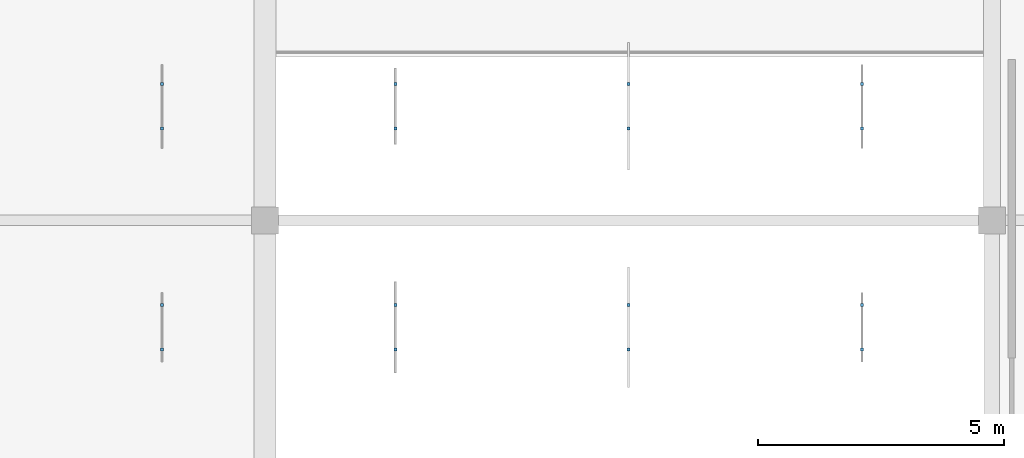
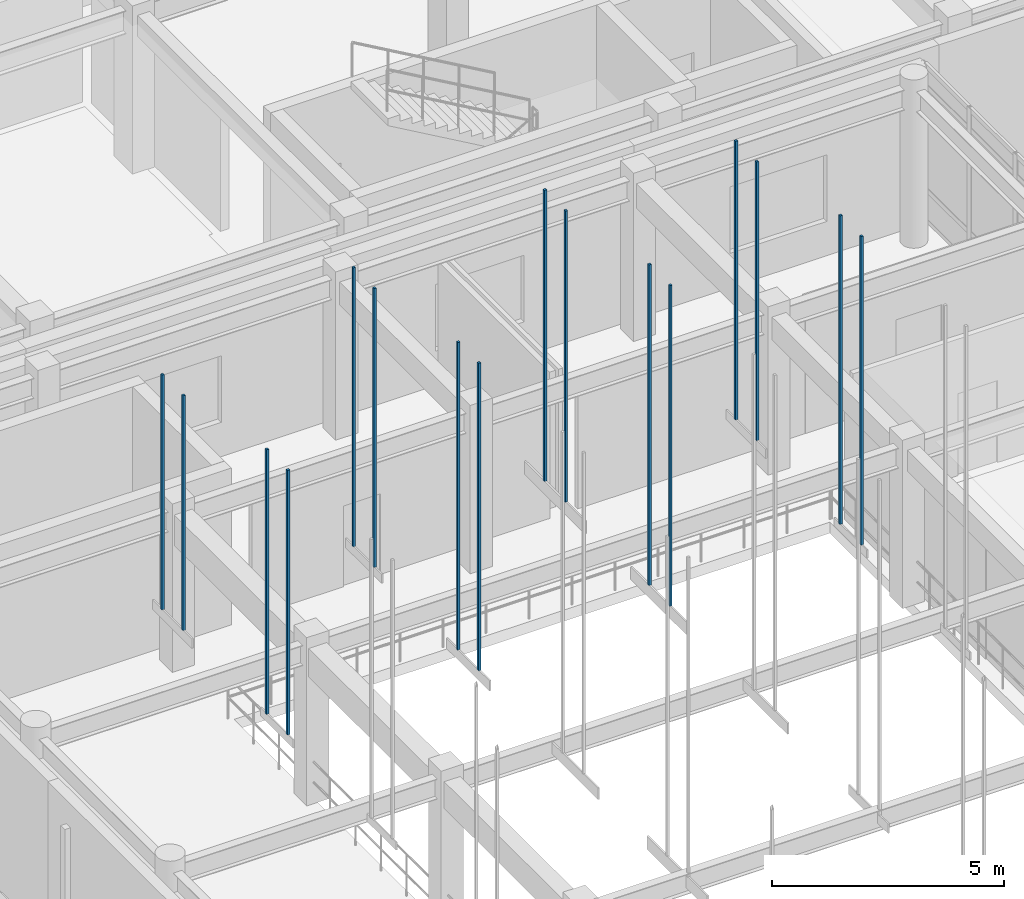
# One storey, part 131 of 142: 16 discrete accessories.
"""IFC4 building model written with IfcOpenShell, lengths in metres."""

from ifc_helpers import new_model, si_unit, direction, frame, origin, origin_2d, place, context, subcontext, project, spatial, rectangle, extrude, material, layer, layer_set, type_object, element, save


model = new_model("IFC4")

# Units and contexts
model_context = context("Model", 3, precision=1e-05, world=origin(), true_north=direction((0.0, 1.0)))
body_context = subcontext(model_context, "Body", "Model", "MODEL_VIEW")
ifc_project = project(units=[si_unit("LENGTHUNIT", "METRE"), si_unit("AREAUNIT", "SQUARE_METRE"), si_unit("VOLUMEUNIT", "CUBIC_METRE"), si_unit("PLANEANGLEUNIT", "RADIAN"), si_unit("MASSUNIT", "GRAM", prefix="KILO")], contexts=[model_context])

# Site, building, storey
site_placement = place(None, origin())
site = spatial("IfcSite", under=ifc_project, at=site_placement, CompositionType="ELEMENT")
building_placement = place(site_placement, origin())
building = spatial("IfcBuilding", under=site, at=building_placement, Name="Valcora Specialist Clinic", CompositionType="ELEMENT")
storey_placement = place(building_placement, frame((0.0, 0.0, 5.10009765625)))
storey = spatial("IfcBuildingStorey", under=building, at=storey_placement, Name="L01", CompositionType="ELEMENT", Elevation=5.10009765625)

# Discrete accessories
ifc_material = material(Name="Stainless Steel AISI 316", Category="steel")
ifc_layer = layer(ifc_material, 0.06005859375)
ifc_layer_set = layer_set([ifc_layer], Name="Stainless Steel AISI 316")
discrete_accessory_type = type_object("IfcDiscreteAccessoryType", Name="TY-DA-HGR060", PredefinedType="BRACKET", material=ifc_layer_set)
for number, where, z_axis, x_axis, name in (
    (1, (5.5, 65.050048828125, 3.951904296875), (0.0, 0.0, 1.0), (1.0, 0.0, 0.0), "Baffle suspension hanger 5A"),
    (2, (5.5, 65.949951171875, 3.951904296875), (0.0, 0.0, 1.0), (1.0, 0.0, 0.0), "Baffle suspension hanger 5B"),
):
    element("IfcDiscreteAccessory", number, at=place(storey_placement, frame(where, z_axis=z_axis, x_axis=x_axis)), inside=storey, type_object=discrete_accessory_type, Name=name, PredefinedType="BRACKET", context=body_context, shape_type="SweptSolid", body=[
        extrude(rectangle(XDim=0.06005859375, YDim=0.06005859375, at=origin_2d()), origin(), (0.0, 0.0, 1.0), 6.953125),
    ])
for number, where, z_axis, x_axis, name in (
    (3, (5.5, 69.550048828125, 3.966796875), (0.0, 0.0, 1.0), (1.0, 0.0, 0.0), "Baffle suspension hanger 6A"),
    (4, (5.5, 70.449951171875, 3.966796875), (0.0, 0.0, 1.0), (1.0, 0.0, 0.0), "Baffle suspension hanger 6B"),
):
    element("IfcDiscreteAccessory", number, at=place(storey_placement, frame(where, z_axis=z_axis, x_axis=x_axis)), inside=storey, type_object=discrete_accessory_type, Name=name, PredefinedType="BRACKET", context=body_context, shape_type="SweptSolid", body=[
        extrude(rectangle(XDim=0.06005859375, YDim=0.06005859375, at=origin_2d()), origin(), (0.0, 0.0, 1.0), 6.169189453125),
    ])
for number, where, z_axis, x_axis, name in (
    (5, (10.25, 65.050048828125, 3.9765625), (0.0, 0.0, 1.0), (1.0, 0.0, 0.0), "Baffle suspension hanger 11A"),
    (6, (10.25, 65.949951171875, 3.9765625), (0.0, 0.0, 1.0), (1.0, 0.0, 0.0), "Baffle suspension hanger 11B"),
):
    element("IfcDiscreteAccessory", number, at=place(storey_placement, frame(where, z_axis=z_axis, x_axis=x_axis)), inside=storey, type_object=discrete_accessory_type, Name=name, PredefinedType="BRACKET", context=body_context, shape_type="SweptSolid", body=[
        extrude(rectangle(XDim=0.06005859375, YDim=0.06005859375, at=origin_2d()), origin(), (0.0, 0.0, 1.0), 8.080810546875),
    ])
for number, where, z_axis, x_axis, name in (
    (7, (10.25, 69.550048828125, 3.9619140625), (0.0, 0.0, 1.0), (1.0, 0.0, 0.0), "Baffle suspension hanger 12A"),
    (8, (10.25, 70.449951171875, 3.9619140625), (0.0, 0.0, 1.0), (1.0, 0.0, 0.0), "Baffle suspension hanger 12B"),
):
    element("IfcDiscreteAccessory", number, at=place(storey_placement, frame(where, z_axis=z_axis, x_axis=x_axis)), inside=storey, type_object=discrete_accessory_type, Name=name, PredefinedType="BRACKET", context=body_context, shape_type="SweptSolid", body=[
        extrude(rectangle(XDim=0.06005859375, YDim=0.06005859375, at=origin_2d()), origin(), (0.0, 0.0, 1.0), 7.326904296875),
    ])
for number, where, z_axis, x_axis, name in (
    (9, (15.0, 65.050048828125, 4.0068359375), (0.0, 0.0, 1.0), (1.0, 0.0, 0.0), "Baffle suspension hanger 17A"),
    (10, (15.0, 65.949951171875, 4.0068359375), (0.0, 0.0, 1.0), (1.0, 0.0, 0.0), "Baffle suspension hanger 17B"),
):
    element("IfcDiscreteAccessory", number, at=place(storey_placement, frame(where, z_axis=z_axis, x_axis=x_axis)), inside=storey, type_object=discrete_accessory_type, Name=name, PredefinedType="BRACKET", context=body_context, shape_type="SweptSolid", body=[
        extrude(rectangle(XDim=0.06005859375, YDim=0.06005859375, at=origin_2d()), origin(), (0.0, 0.0, 1.0), 8.42529296875),
    ])
for number, where, z_axis, x_axis, name in (
    (11, (15.0, 69.550048828125, 4.01171875), (0.0, 0.0, 1.0), (1.0, 0.0, 0.0), "Baffle suspension hanger 18A"),
    (12, (15.0, 70.449951171875, 4.01171875), (0.0, 0.0, 1.0), (1.0, 0.0, 0.0), "Baffle suspension hanger 18B"),
):
    element("IfcDiscreteAccessory", number, at=place(storey_placement, frame(where, z_axis=z_axis, x_axis=x_axis)), inside=storey, type_object=discrete_accessory_type, Name=name, PredefinedType="BRACKET", context=body_context, shape_type="SweptSolid", body=[
        extrude(rectangle(XDim=0.06005859375, YDim=0.06005859375, at=origin_2d()), origin(), (0.0, 0.0, 1.0), 7.651123046875),
    ])
for number, where, z_axis, x_axis, name in (
    (13, (19.75, 65.050048828125, 3.95166015625), (0.0, 0.0, 1.0), (1.0, 0.0, 0.0), "Baffle suspension hanger 23A"),
    (14, (19.75, 65.949951171875, 3.95166015625), (0.0, 0.0, 1.0), (1.0, 0.0, 0.0), "Baffle suspension hanger 23B"),
):
    element("IfcDiscreteAccessory", number, at=place(storey_placement, frame(where, z_axis=z_axis, x_axis=x_axis)), inside=storey, type_object=discrete_accessory_type, Name=name, PredefinedType="BRACKET", context=body_context, shape_type="SweptSolid", body=[
        extrude(rectangle(XDim=0.06005859375, YDim=0.06005859375, at=origin_2d()), origin(), (0.0, 0.0, 1.0), 8.105712890625),
    ])
for number, where, z_axis, x_axis, name in (
    (15, (19.75, 69.550048828125, 3.966796875), (0.0, 0.0, 1.0), (1.0, 0.0, 0.0), "Baffle suspension hanger 24A"),
    (16, (19.75, 70.449951171875, 3.966796875), (0.0, 0.0, 1.0), (1.0, 0.0, 0.0), "Baffle suspension hanger 24B"),
):
    element("IfcDiscreteAccessory", number, at=place(storey_placement, frame(where, z_axis=z_axis, x_axis=x_axis)), inside=storey, type_object=discrete_accessory_type, Name=name, PredefinedType="BRACKET", context=body_context, shape_type="SweptSolid", body=[
        extrude(rectangle(XDim=0.06005859375, YDim=0.06005859375, at=origin_2d()), origin(), (0.0, 0.0, 1.0), 7.32177734375),
    ])

save(model, "model.ifc")
